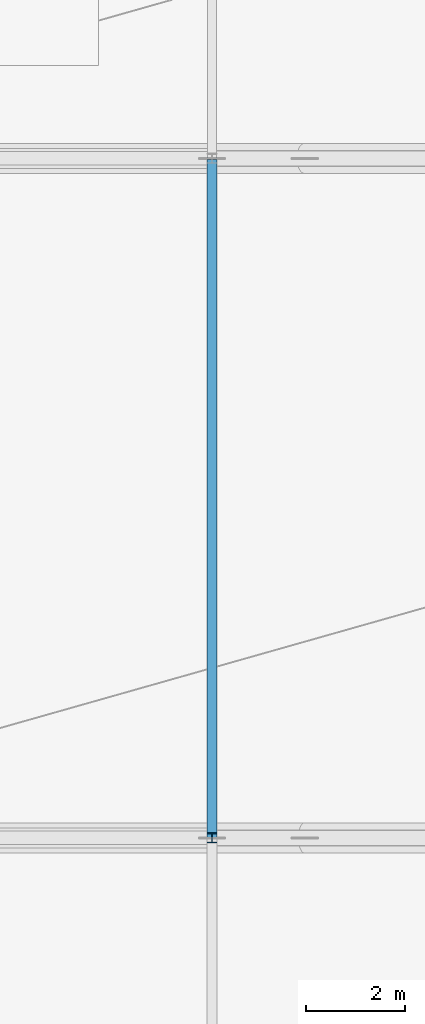
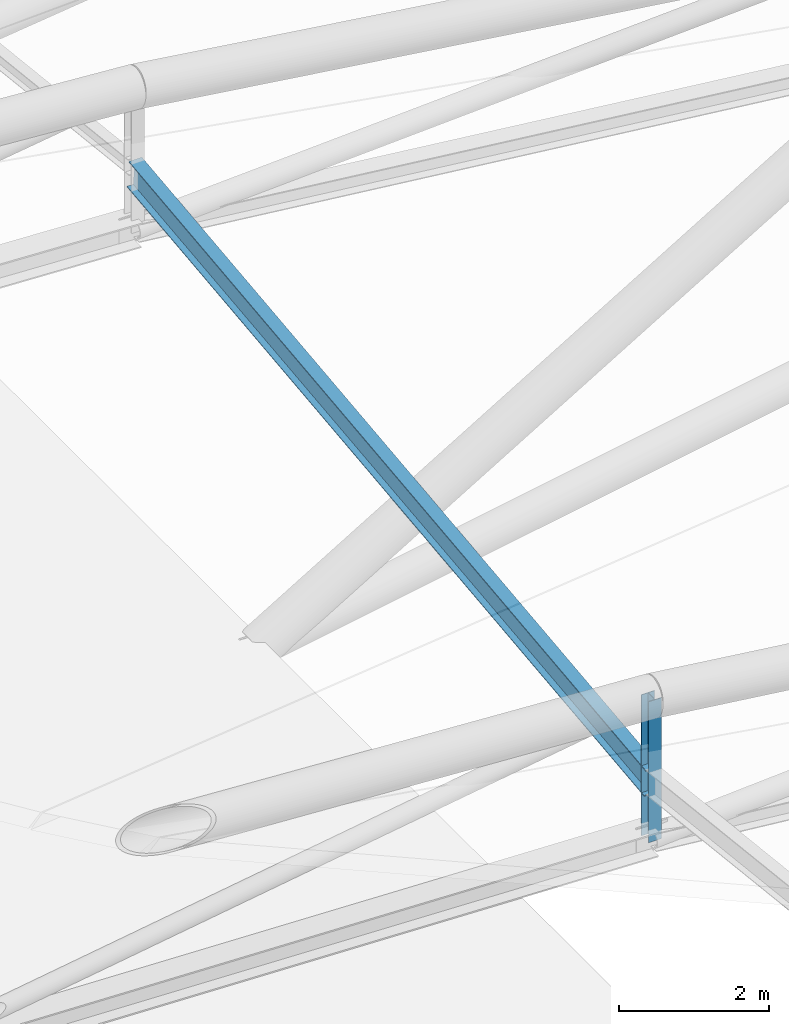
# One storey, part 12 of 36: 2 members.
"""IFC4 building model written with IfcOpenShell, lengths in metres."""

from ifc_helpers import new_model, si_unit, direction, frame, origin, origin_2d, place, context, subcontext, project, spatial, i_section, extrude, material, material_profile, profile_set, type_object, element, save


model = new_model("IFC4")

# Units and contexts
model_context = context("Model", 3, precision=1e-05, world=origin(), true_north=direction((0.0, 1.0)))
body_context = subcontext(model_context, "Body", "Model", "MODEL_VIEW")
ifc_project = project(units=[si_unit("LENGTHUNIT", "METRE"), si_unit("AREAUNIT", "SQUARE_METRE"), si_unit("VOLUMEUNIT", "CUBIC_METRE"), si_unit("PLANEANGLEUNIT", "RADIAN"), si_unit("MASSUNIT", "GRAM", prefix="KILO")], contexts=[model_context])

# Site, building, storey
site_placement = place(None, origin())
site = spatial("IfcSite", under=ifc_project, at=site_placement, CompositionType="ELEMENT")
building_placement = place(site_placement, origin())
building = spatial("IfcBuilding", under=site, at=building_placement, Name="Linyun Crest Stadium", CompositionType="ELEMENT")
storey_placement = place(building_placement, frame((0.0, 0.0, 31.60009765625)))
storey = spatial("IfcBuildingStorey", under=building, at=storey_placement, Name="RF", CompositionType="ELEMENT", Elevation=31.60009765625)

# Members
ifc_material_1 = material(Name="Steel Q355B", Category="steel")
ifc_material_profile_1 = material_profile(ifc_material_1, i_section(OverallWidth=0.199951171875, OverallDepth=0.449951171875, WebThickness=0.009033203125, FlangeThickness=0.013916015625, at=origin_2d()), Name="HN 450x200")
ifc_profile_set_1 = profile_set([ifc_material_profile_1], Name="Steel Q355B")
member_type_1 = type_object("IfcMemberType", Name="PR04", PredefinedType="PURLIN", material=ifc_profile_set_1)
member_1_placement = place(storey_placement, frame((-71.875, -11.625, 6.601806640625), z_axis=(0.0, 0.99369795001, 0.112090963715), x_axis=(-1.0, 0.0, 0.0)))
element("IfcMember", 1, at=member_1_placement, inside=storey, type_object=member_type_1, Name="Roof canopy purlin PR04 V1 165", PredefinedType="PURLIN", context=body_context, shape_type="SweptSolid", body=[
    extrude(i_section(OverallWidth=0.199951171875, OverallDepth=0.449951171875, WebThickness=0.009033203125, FlangeThickness=0.013916015625, at=origin_2d()), origin(), (0.0, 0.0, 1.0), 13.837158203125),
])
ifc_material_2 = material(Name="Steel Q355C", Category="steel")
ifc_material_profile_2 = material_profile(ifc_material_2, i_section(OverallWidth=0.199951171875, OverallDepth=0.199951171875, WebThickness=0.008056640625, FlangeThickness=0.011962890625, at=origin_2d()), Name="HW 200x200")
ifc_profile_set_2 = profile_set([ifc_material_profile_2], Name="Steel Q355C")
member_type_2 = type_object("IfcMemberType", Name="TV02", PredefinedType="STRUT", material=ifc_profile_set_2)
member_2_placement = place(storey_placement, frame((-71.875, -11.625, 5.698974609375), z_axis=(0.0, 0.0, 1.0), x_axis=(1.0, 0.0, 0.0)))
element("IfcMember", 2, at=member_2_placement, inside=storey, type_object=member_type_2, Name="Roof vertical strut TV02 V1 66", PredefinedType="STRUT", context=body_context, shape_type="SweptSolid", body=[
    extrude(i_section(OverallWidth=0.199951171875, OverallDepth=0.199951171875, WebThickness=0.008056640625, FlangeThickness=0.011962890625, at=origin_2d()), origin(), (0.0, 0.0, 1.0), 2.287841796875),
])

save(model, "model.ifc")
